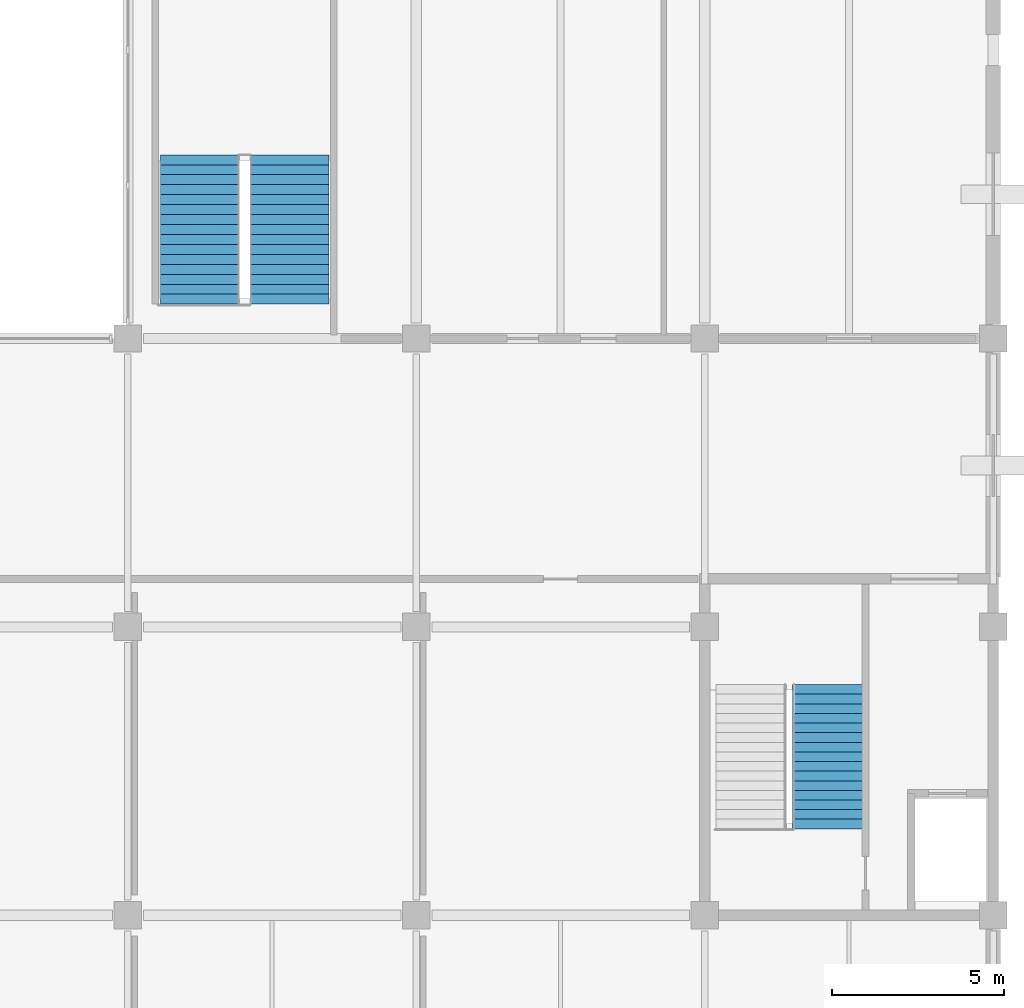
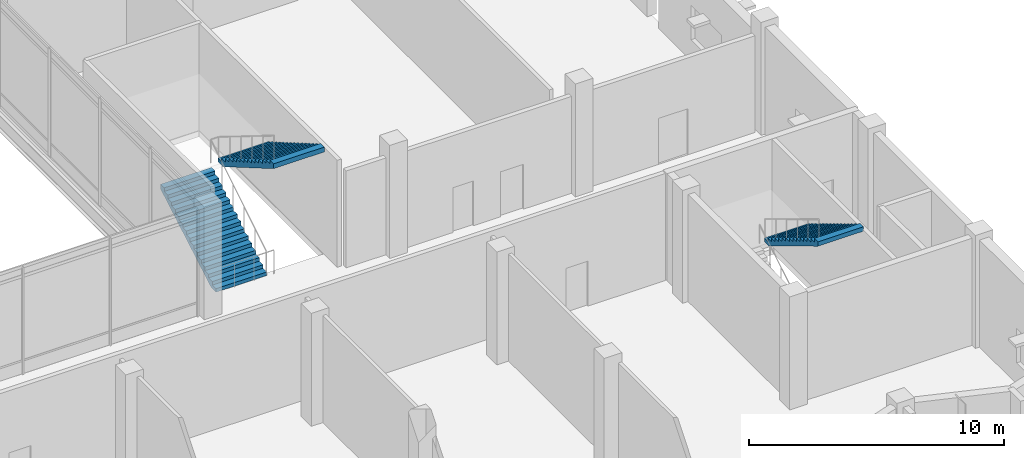
# One storey, part 62 of 72: 3 stair flights, 2 elements without a shape of their own.
"""IFC4 building model written with IfcOpenShell, lengths in metres."""

import ifcopenshell
import ifcopenshell.guid

model = None  # the IFC model being written
_history = None  # IfcOwnerHistory: only IFC2X3 demands one
_inside = {}  # id of a spatial element -> (the spatial element, [elements in it])
_under = {}  # id of a project, library or spatial element -> (it, [spatial elements below it])
_declared = {}  # id of a project -> (the project, [libraries it declares])
_typed = {}  # id of a type object -> (the type object, [elements of that type])
_made_of = {}  # id of a material, layer set ... -> (it, [elements and type objects made of it])


def new_model(schema):
    """Start an empty IFC model of exactly this schema.

    Asked for "IFC4X3", IfcOpenShell would pick the latest addendum, in which some entities
    have other attributes; the version numbers below select the first issue.
    IFC2X3 requires an IfcOwnerHistory on every rooted entity: one is made here for all.
    """
    global model, _history
    if schema == "IFC4X3":
        model = ifcopenshell.file(schema_version=(4, 3, 0, 0))
    else:
        model = ifcopenshell.file(schema=schema)
    _inside.clear()
    _under.clear()
    _declared.clear()
    _typed.clear()
    _made_of.clear()
    _history = None
    if model.schema == "IFC2X3":
        org = make("IfcOrganization", Name="unknown")
        user = make(
            "IfcPersonAndOrganization",
            ThePerson=make("IfcPerson", FamilyName="unknown"),
            TheOrganization=org,
        )
        app = make(
            "IfcApplication",
            ApplicationDeveloper=org,
            Version="unknown",
            ApplicationFullName="unknown",
            ApplicationIdentifier="unknown",
        )
        _history = make(
            "IfcOwnerHistory",
            OwningUser=user,
            OwningApplication=app,
            ChangeAction="ADDED",
            CreationDate=0,
        )
    return model


def make(cls, **values):
    """One entity of the class cls with the attributes given. An attribute that is None is left unset."""
    return model.create_entity(
        cls, **{name: value for name, value in values.items() if value is not None}
    )


def rooted(cls, **values):
    """An entity with a GlobalId (a new one), such as an element, a storey or a relation."""
    return make(cls, GlobalId=ifcopenshell.guid.new(), OwnerHistory=_history, **values)


def si_unit(unit_type, name, prefix=None):
    """IfcSIUnit, for example si_unit("LENGTHUNIT", "METRE", prefix="MILLI")."""
    return make("IfcSIUnit", UnitType=unit_type, Prefix=prefix, Name=name)


def assignment(units):
    """IfcUnitAssignment: the units of a project."""
    return None if units is None else make("IfcUnitAssignment", Units=units)


def point(xyz):
    """IfcCartesianPoint."""
    return None if xyz is None else make("IfcCartesianPoint", Coordinates=xyz)


def direction(xyz):
    """IfcDirection."""
    return None if xyz is None else make("IfcDirection", DirectionRatios=xyz)


def frame(location, z_axis=None, x_axis=None):
    """IfcAxis2Placement3D, a coordinate frame: its origin and axes. An axis left out is left unset."""
    return make(
        "IfcAxis2Placement3D",
        Location=point(location),
        Axis=direction(z_axis),
        RefDirection=direction(x_axis),
    )


def origin():
    """The frame at (0, 0, 0) with its axes left unset."""
    return frame((0.0, 0.0, 0.0))


def place(relative_to, where):
    """IfcLocalPlacement: puts the frame where relative to a parent placement (None: the world)."""
    return make(
        "IfcLocalPlacement", PlacementRelTo=relative_to, RelativePlacement=where
    )


def context(
    kind, dimensions, precision=None, world=None, true_north=None, identifier=None
):
    """IfcGeometricRepresentationContext, for example the 3D "Model" context."""
    return make(
        "IfcGeometricRepresentationContext",
        ContextIdentifier=identifier,
        ContextType=kind,
        CoordinateSpaceDimension=dimensions,
        Precision=precision,
        WorldCoordinateSystem=world,
        TrueNorth=true_north,
    )


def subcontext(parent, identifier, kind, view, scale=None):
    """IfcGeometricRepresentationSubContext, for example "Body" below "Model"."""
    return make(
        "IfcGeometricRepresentationSubContext",
        ContextIdentifier=identifier,
        ContextType=kind,
        ParentContext=parent,
        TargetScale=scale,
        TargetView=view,
    )


def project(units=None, contexts=None):
    """IfcProject with its units and contexts."""
    return rooted(
        "IfcProject",
        Name="project",
        RepresentationContexts=contexts,
        UnitsInContext=assignment(units),
    )


def spatial(cls, under=None, at=None, **own):
    """A site, building, storey or space (cls), placed at a placement, below another one or the project."""
    s = rooted(cls, ObjectPlacement=at, **own)
    if under is not None:
        _under.setdefault(under.id(), (under, []))[1].append(s)
    return s


def polyline(points):
    """IfcPolyline through the points."""
    return make("IfcPolyline", Points=[point(p) for p in points])


def outline(outer, holes=None, kind="AREA"):
    """IfcArbitraryClosedProfileDef: a profile drawn as a closed curve; with holes, ...WithVoids."""
    if holes is None:
        return make("IfcArbitraryClosedProfileDef", ProfileType=kind, OuterCurve=outer)
    return make(
        "IfcArbitraryProfileDefWithVoids",
        ProfileType=kind,
        OuterCurve=outer,
        InnerCurves=holes,
    )


def extrude(swept, where, along, depth):
    """IfcExtrudedAreaSolid: the profile swept, set in the frame where, extruded along a direction by depth."""
    return make(
        "IfcExtrudedAreaSolid",
        SweptArea=swept,
        Position=where,
        ExtrudedDirection=direction(along),
        Depth=depth,
    )


def shape(context_of_items, identifier, shape_type, items):
    """IfcShapeRepresentation: the items that make up one representation, for example the "Body"."""
    return make(
        "IfcShapeRepresentation",
        ContextOfItems=context_of_items,
        RepresentationIdentifier=identifier,
        RepresentationType=shape_type,
        Items=items,
    )


def material(Name=None, Category=None):
    """IfcMaterial."""
    return make("IfcMaterial", Name=Name, Category=Category)


def made_of(thing, what):
    """Note that an element or type object is made of a material, layer set ...; save() writes the relation."""
    if what is not None:
        _made_of.setdefault(what.id(), (what, []))[1].append(thing)
    return thing


def type_object(cls, material=None, **own):
    """A type object (cls), such as IfcWallType, which elements share."""
    return made_of(rooted(cls, **own), material)


def element(
    cls,
    number,
    at=None,
    inside=None,
    cuts=None,
    type_object=None,
    material=None,
    context=None,
    identifier="Body",
    shape_type=None,
    held_by="IfcProductDefinitionShape",
    body=None,
    shapes=None,
    **own,
):
    """One element of the class cls, such as IfcWall. Its Tag is "e" and its number.

    at: its placement. inside: the storey or other place that contains it. cuts: it is an
    opening in that element (IfcRelVoidsElement). A single representation is given by context,
    identifier, shape_type and body (its items); several are given by shapes. held_by: the class
    of the entity that holds the representations. save() writes the other relations.
    """
    e = rooted(cls, Tag="e%d" % number, ObjectPlacement=at, **own)
    if body is not None:
        shapes = [shape(context, identifier, shape_type, body)]
    if shapes is not None:
        e.Representation = make(held_by, Representations=shapes)
    if inside is not None:
        _inside.setdefault(inside.id(), (inside, []))[1].append(e)
    if cuts is not None:
        rooted(
            "IfcRelVoidsElement", RelatingBuildingElement=cuts, RelatedOpeningElement=e
        )
    if type_object is not None:
        _typed.setdefault(type_object.id(), (type_object, []))[1].append(e)
    return made_of(e, material)


def aggregate(whole, parts):
    """IfcRelAggregates: a whole, such as a stair, and the parts it consists of."""
    return rooted("IfcRelAggregates", RelatingObject=whole, RelatedObjects=parts)


def save(model, path):
    """Write the relations noted so far, then the file.

    IfcRelAggregates (storeys below a building ...), IfcRelContainedInSpatialStructure (elements
    in a storey), IfcRelDefinesByType, IfcRelAssociatesMaterial and IfcRelDeclares: one each for
    every whole, place, type object, material and project.
    """
    for whole, parts in _under.values():
        aggregate(whole, parts)
    for where, things in _inside.values():
        rooted(
            "IfcRelContainedInSpatialStructure",
            RelatedElements=things,
            RelatingStructure=where,
        )
    for kind, things in _typed.values():
        rooted("IfcRelDefinesByType", RelatedObjects=things, RelatingType=kind)
    for what, things in _made_of.values():
        rooted("IfcRelAssociatesMaterial", RelatedObjects=things, RelatingMaterial=what)
    for by, libraries in _declared.values():
        rooted("IfcRelDeclares", RelatingContext=by, RelatedDefinitions=libraries)
    model.write(path)


model = new_model("IFC4")

# Units and contexts
model_context = context("Model", 3, precision=1e-05, world=origin(), true_north=direction((0.0, 1.0)))
body_context = subcontext(model_context, "Body", "Model", "MODEL_VIEW")
ifc_project = project(units=[si_unit("LENGTHUNIT", "METRE"), si_unit("AREAUNIT", "SQUARE_METRE"), si_unit("VOLUMEUNIT", "CUBIC_METRE"), si_unit("PLANEANGLEUNIT", "RADIAN"), si_unit("MASSUNIT", "GRAM", prefix="KILO")], contexts=[model_context])

# Site, building, storey
site_placement = place(None, origin())
site = spatial("IfcSite", under=ifc_project, at=site_placement, CompositionType="ELEMENT")
building_placement = place(site_placement, origin())
building = spatial("IfcBuilding", under=site, at=building_placement, Name="Qawsi Khor Wholesale Market", CompositionType="ELEMENT")
storey_placement = place(building_placement, frame((0.0, 0.0, 6.0)))
storey = spatial("IfcBuildingStorey", under=building, at=storey_placement, Name="L01", CompositionType="ELEMENT", Elevation=6.0)

# Stair, stair flights
ifc_material = material(Name="Concrete C40/50", Category="concrete")
stair_type_1 = type_object("IfcStairType", Name="Atrium Feature Stair 5400 Rise", PredefinedType="HALF_TURN_STAIR", material=ifc_material)
stair_1_placement = place(storey_placement, origin())
stair_1 = element("IfcStair", 1, at=stair_1_placement, inside=storey, type_object=stair_type_1, Name="Atrium feature stair E L01", PredefinedType="HALF_TURN_STAIR")
stair_flight_type_1 = type_object("IfcStairFlightType", Name="Atrium Feature Flight 16R x 168.8 / 290G (2300w)", PredefinedType="STRAIGHT", material=ifc_material)
stair_flight_1_placement = place(storey_placement, frame((170.10009765625, 26.199951171875, 0.0), z_axis=(0.0, 0.0, 1.0), x_axis=(0.0, 1.0, 0.0)))
stair_flight_1 = element("IfcStairFlight", 2, at=stair_flight_1_placement, type_object=stair_flight_type_1, Name="ST-AE-1 flight 1", NumberOfRisers=16, NumberOfTreads=15, PredefinedType="STRAIGHT", RiserHeight=0.16875, TreadLength=0.29, context=body_context, shape_type="SweptSolid", body=[
    extrude(outline(polyline([(0.0, 0.0), (0.0, 0.168701171875), (0.2900390625, 0.168701171875), (0.2900390625, 0.33740234375), (0.580078125, 0.33740234375), (0.580078125, 0.50634765625), (0.8701171875, 0.50634765625), (0.8701171875, 0.675048828125), (1.159912109375, 0.675048828125), (1.159912109375, 0.84375), (1.449951171875, 0.84375), (1.449951171875, 1.012451171875), (1.739990234375, 1.012451171875), (1.739990234375, 1.18115234375), (2.030029296875, 1.18115234375), (2.030029296875, 1.35009765625), (2.320068359375, 1.35009765625), (2.320068359375, 1.518798828125), (2.610107421875, 1.518798828125), (2.610107421875, 1.6875), (2.89990234375, 1.6875), (2.89990234375, 1.856201171875), (3.18994140625, 1.856201171875), (3.18994140625, 2.02490234375), (3.47998046875, 2.02490234375), (3.47998046875, 2.19384765625), (3.77001953125, 2.19384765625), (3.77001953125, 2.362548828125), (4.06005859375, 2.362548828125), (4.06005859375, 2.53125), (4.35009765625, 2.53125), (4.35009765625, 2.699951171875), (4.35009765625, 2.2998046875), (0.3974609375, 0.0), (0.0, 0.0)])), frame((0.0, 1.14990234375, 0.0), z_axis=(0.0, -1.0, 0.0), x_axis=(1.0, 0.0, 0.0)), (0.0, 0.0, 1.0), 2.300048828125),
])
stair_flight_2_placement = place(storey_placement, frame((172.699951171875, 30.550048828125, 2.699951171875), z_axis=(0.0, 0.0, 1.0), x_axis=(0.0, -1.0, 0.0)))
stair_flight_2 = element("IfcStairFlight", 3, at=stair_flight_2_placement, type_object=stair_flight_type_1, Name="ST-AE-1 flight 2", NumberOfRisers=16, NumberOfTreads=15, PredefinedType="STRAIGHT", RiserHeight=0.16875, TreadLength=0.29, context=body_context, shape_type="SweptSolid", body=[
    extrude(outline(polyline([(0.0, 0.0), (0.0, 0.168701171875), (0.2900390625, 0.168701171875), (0.2900390625, 0.33740234375), (0.580078125, 0.33740234375), (0.580078125, 0.50634765625), (0.8701171875, 0.50634765625), (0.8701171875, 0.675048828125), (1.159912109375, 0.675048828125), (1.159912109375, 0.84375), (1.449951171875, 0.84375), (1.449951171875, 1.012451171875), (1.739990234375, 1.012451171875), (1.739990234375, 1.18115234375), (2.030029296875, 1.18115234375), (2.030029296875, 1.35009765625), (2.320068359375, 1.35009765625), (2.320068359375, 1.518798828125), (2.610107421875, 1.518798828125), (2.610107421875, 1.6875), (2.89990234375, 1.6875), (2.89990234375, 1.856201171875), (3.18994140625, 1.856201171875), (3.18994140625, 2.02490234375), (3.47998046875, 2.02490234375), (3.47998046875, 2.19384765625), (3.77001953125, 2.19384765625), (3.77001953125, 2.362548828125), (4.06005859375, 2.362548828125), (4.06005859375, 2.53125), (4.35009765625, 2.53125), (4.35009765625, 2.699951171875), (4.35009765625, 2.2998046875), (0.3974609375, 0.0), (0.0, 0.0)])), frame((0.0, 1.14990234375, 0.0), z_axis=(0.0, -1.0, 0.0), x_axis=(1.0, 0.0, 0.0)), (0.0, 0.0, 1.0), 2.300048828125),
])
aggregate(stair_1, [stair_flight_1, stair_flight_2])

# Stair, stair flight
stair_type_2 = type_object("IfcStairType", Name="Exit Stair L01-L02 5400 Rise", PredefinedType="HALF_TURN_STAIR", material=ifc_material)
stair_2_placement = place(storey_placement, origin())
stair_2 = element("IfcStair", 4, at=stair_2_placement, inside=storey, type_object=stair_type_2, Name="Stair ST-06 L01", PredefinedType="HALF_TURN_STAIR")
stair_flight_type_2 = type_object("IfcStairFlightType", Name="Stair Flight 16R x 168.8 / 280G (2060w)", PredefinedType="STRAIGHT", material=ifc_material)
stair_flight_3_placement = place(storey_placement, frame((188.389892578125, 15.1201171875, 2.699951171875), z_axis=(0.0, 0.0, 1.0), x_axis=(0.0, -1.0, 0.0)))
stair_flight_3 = element("IfcStairFlight", 5, at=stair_flight_3_placement, type_object=stair_flight_type_2, Name="ST-06-L01 flight 2", NumberOfRisers=16, NumberOfTreads=15, PredefinedType="STRAIGHT", RiserHeight=0.16875, TreadLength=0.28, context=body_context, shape_type="SweptSolid", body=[
    extrude(outline(polyline([(0.0, 0.0), (0.0, 0.168701171875), (0.280029296875, 0.168701171875), (0.280029296875, 0.33740234375), (0.56005859375, 0.33740234375), (0.56005859375, 0.50634765625), (0.840087890625, 0.50634765625), (0.840087890625, 0.675048828125), (1.1201171875, 0.675048828125), (1.1201171875, 0.84375), (1.39990234375, 0.84375), (1.39990234375, 1.012451171875), (1.679931640625, 1.012451171875), (1.679931640625, 1.18115234375), (1.9599609375, 1.18115234375), (1.9599609375, 1.35009765625), (2.239990234375, 1.35009765625), (2.239990234375, 1.518798828125), (2.52001953125, 1.518798828125), (2.52001953125, 1.6875), (2.800048828125, 1.6875), (2.800048828125, 1.856201171875), (3.080078125, 1.856201171875), (3.080078125, 2.02490234375), (3.360107421875, 2.02490234375), (3.360107421875, 2.19384765625), (3.639892578125, 2.19384765625), (3.639892578125, 2.362548828125), (3.919921875, 2.362548828125), (3.919921875, 2.53125), (4.199951171875, 2.53125), (4.199951171875, 2.699951171875), (4.199951171875, 2.3212890625), (0.3486328125, 0.0), (0.0, 0.0)])), frame((0.0, 1.030029296875, 0.0), z_axis=(0.0, -1.0, 0.0), x_axis=(1.0, 0.0, 0.0)), (0.0, 0.0, 1.0), 2.06005859375),
])
aggregate(stair_2, [stair_flight_3])

save(model, "model.ifc")
